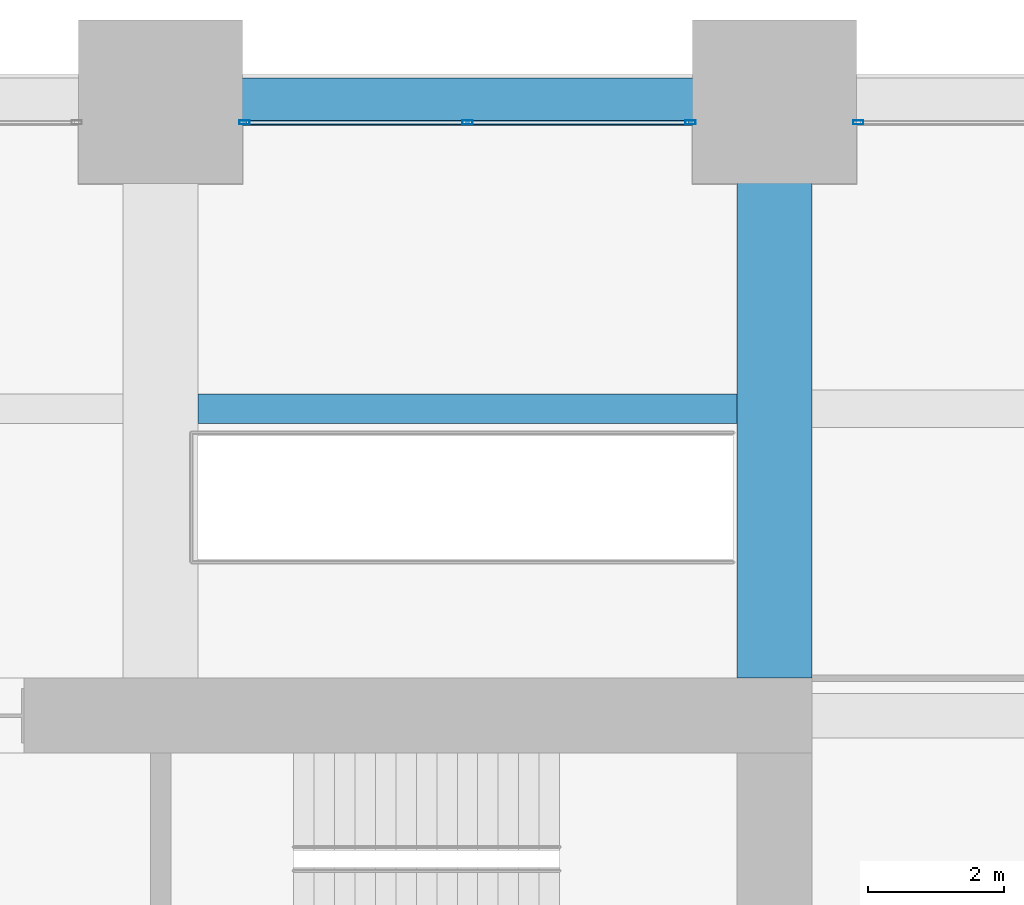
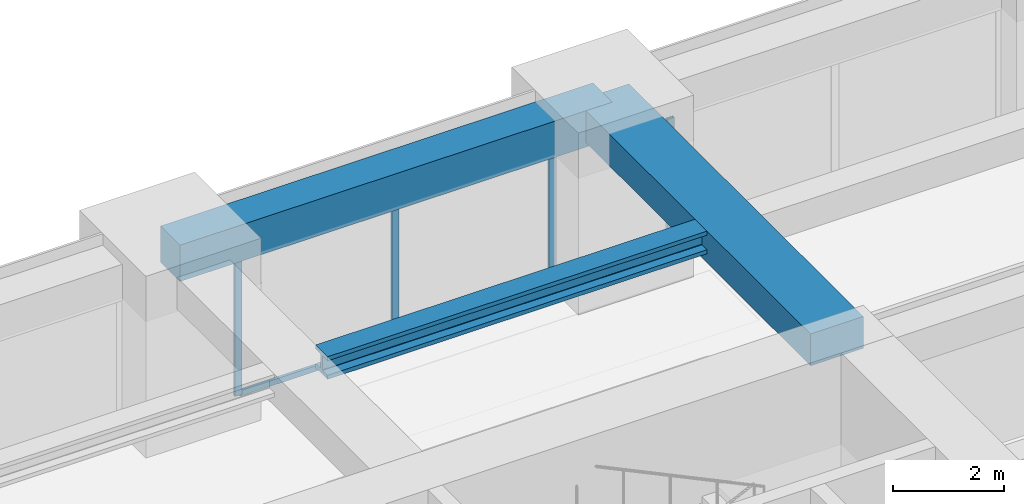
# One storey, part 30 of 41: 5 members, 3 beams, 2 elements without a shape of their own.
"""IFC4 building model written with IfcOpenShell, lengths in metres."""

from ifc_helpers import new_model, si_unit, direction, frame, origin, origin_2d, place, context, subcontext, project, spatial, rectangle, hollow_rectangle, i_section, extrude, material, material_profile, profile_set, type_object, element, aggregate, save


model = new_model("IFC4")

# Units and contexts
model_context = context("Model", 3, precision=1e-05, world=origin(), true_north=direction((0.0, 1.0)))
body_context = subcontext(model_context, "Body", "Model", "MODEL_VIEW")
ifc_project = project(units=[si_unit("LENGTHUNIT", "METRE"), si_unit("AREAUNIT", "SQUARE_METRE"), si_unit("VOLUMEUNIT", "CUBIC_METRE"), si_unit("PLANEANGLEUNIT", "RADIAN"), si_unit("MASSUNIT", "GRAM", prefix="KILO")], contexts=[model_context])

# Site, building, storey
site_placement = place(None, origin())
site = spatial("IfcSite", under=ifc_project, at=site_placement, CompositionType="ELEMENT")
building_placement = place(site_placement, origin())
building = spatial("IfcBuilding", under=site, at=building_placement, Name="Zorevar Civic Tower", CompositionType="ELEMENT")
storey_placement = place(building_placement, frame((0.0, 0.0, 101.0)))
storey = spatial("IfcBuildingStorey", under=building, at=storey_placement, Name="L24", CompositionType="ELEMENT", Elevation=101.0)

# Beam
ifc_material_1 = material(Name="Concrete C50/60", Category="concrete")
ifc_material_profile_1 = material_profile(ifc_material_1, rectangle(XDim=1.10009765625, YDim=0.699951171875, at=origin_2d()), Name="RC 1100x700")
ifc_profile_set_1 = profile_set([ifc_material_profile_1], Name="Concrete C50/60")
beam_type_1 = type_object("IfcBeamType", Name="Beam RC 1100x700", PredefinedType="BEAM", material=ifc_profile_set_1)
beam_1_placement = place(storey_placement, frame((45.0, 36.550048828125, 3.39990234375), z_axis=(0.0, 1.0, 0.0), x_axis=(-1.0, 0.0, 0.0)))
element("IfcBeam", 1, at=beam_1_placement, inside=storey, type_object=beam_type_1, Name="Girder L25", PredefinedType="BEAM", context=body_context, shape_type="SweptSolid", body=[
    extrude(rectangle(XDim=1.10009765625, YDim=0.699951171875, at=origin_2d()), origin(), (0.0, 0.0, 1.0), 8.449951171875),
])

# Curtain wall, members
ifc_material_2 = material(Name="Dark grey solar-control glass in black aluminium frame", Category="aluminium")
curtain_wall_type = type_object("IfcCurtainWallType", Name="Curtain wall CW3 mid zone", PredefinedType="NOTDEFINED", material=ifc_material_2)
curtain_wall_1_placement = place(storey_placement, origin())
curtain_wall_1 = element("IfcCurtainWall", 2, at=curtain_wall_1_placement, inside=storey, type_object=curtain_wall_type, Name="CW3 L24", PredefinedType="NOTDEFINED")
ifc_material_3 = material(Name="Aluminium, black anodised", Category="aluminium")
ifc_material_profile_2 = material_profile(ifc_material_3, hollow_rectangle(XDim=0.06005859375, YDim=0.14990234375, WallThickness=0.00390625, at=origin_2d()), Name="AL 150x60x4")
ifc_profile_set_2 = profile_set([ifc_material_profile_2], Name="Aluminium, black anodised")
member_type_1 = type_object("IfcMemberType", Name="CW3 mullion AL 150x60x4", PredefinedType="MULLION", material=ifc_profile_set_2)
member_1_placement = place(storey_placement, frame((37.22998046875, 44.699951171875, 0.0), z_axis=(0.0, 0.0, 1.0), x_axis=(0.0, 1.0, 0.0)))
member_1 = element("IfcMember", 3, at=member_1_placement, type_object=member_type_1, Name="CW3 mullion 1", PredefinedType="MULLION", context=body_context, shape_type="SweptSolid", body=[
    extrude(hollow_rectangle(XDim=0.06005859375, YDim=0.14990234375, WallThickness=0.00390625, at=origin_2d()), origin(), (0.0, 0.0, 1.0), 2.949951171875),
])
member_2_placement = place(storey_placement, frame((40.5, 44.699951171875, 0.06005859375), z_axis=(0.0, 0.0, 1.0), x_axis=(0.0, 1.0, 0.0)))
member_2 = element("IfcMember", 4, at=member_2_placement, type_object=member_type_1, Name="CW3 mullion 2", PredefinedType="MULLION", context=body_context, shape_type="SweptSolid", body=[
    extrude(hollow_rectangle(XDim=0.06005859375, YDim=0.14990234375, WallThickness=0.00390625, at=origin_2d()), origin(), (0.0, 0.0, 1.0), 2.889892578125),
])
member_3_placement = place(storey_placement, frame((43.77001953125, 44.699951171875, 0.0), z_axis=(0.0, 0.0, 1.0), x_axis=(0.0, 1.0, 0.0)))
member_3 = element("IfcMember", 5, at=member_3_placement, type_object=member_type_1, Name="CW3 mullion 3", PredefinedType="MULLION", context=body_context, shape_type="SweptSolid", body=[
    extrude(hollow_rectangle(XDim=0.06005859375, YDim=0.14990234375, WallThickness=0.00390625, at=origin_2d()), origin(), (0.0, 0.0, 1.0), 2.949951171875),
])

# Curtain wall, member
curtain_wall_2_placement = place(storey_placement, origin())
curtain_wall_2 = element("IfcCurtainWall", 6, at=curtain_wall_2_placement, inside=storey, type_object=curtain_wall_type, Name="CW3 L24", PredefinedType="NOTDEFINED")
member_4_placement = place(storey_placement, frame((46.22998046875, 44.699951171875, 0.0), z_axis=(0.0, 0.0, 1.0), x_axis=(0.0, 1.0, 0.0)))
member_4 = element("IfcMember", 7, at=member_4_placement, type_object=member_type_1, Name="CW3 mullion 1", PredefinedType="MULLION", context=body_context, shape_type="SweptSolid", body=[
    extrude(hollow_rectangle(XDim=0.06005859375, YDim=0.14990234375, WallThickness=0.00390625, at=origin_2d()), origin(), (0.0, 0.0, 1.0), 2.949951171875),
])
aggregate(curtain_wall_2, [member_4])

# Member
ifc_material_4 = material(Name="Aluminium, black anodised", Category="aluminium")
ifc_material_profile_3 = material_profile(ifc_material_4, hollow_rectangle(XDim=0.06005859375, YDim=0.1201171875, WallThickness=0.0029296875, at=origin_2d()), Name="AL 120x60x3")
ifc_profile_set_3 = profile_set([ifc_material_profile_3], Name="Aluminium, black anodised")
member_type_2 = type_object("IfcMemberType", Name="CW3 transom AL 120x60x3", PredefinedType="USERDEFINED", material=ifc_profile_set_3)
member_5_placement = place(storey_placement, frame((37.260009765625, 44.699951171875, 0.030029296875), z_axis=(1.0, 0.0, 0.0), x_axis=(0.0, 1.0, 0.0)))
member_5 = element("IfcMember", 8, at=member_5_placement, type_object=member_type_2, Name="CW3 sill transom", ObjectType="TRANSOM", PredefinedType="USERDEFINED", context=body_context, shape_type="SweptSolid", body=[
    extrude(hollow_rectangle(XDim=0.06005859375, YDim=0.1201171875, WallThickness=0.0029296875, at=origin_2d()), origin(), (0.0, 0.0, 1.0), 6.47998046875),
])

aggregate(curtain_wall_1, [member_1, member_2, member_3, member_5])

# Beams
ifc_material_5 = material(Name="Steel S460M (HISTAR 460)", Category="steel")
ifc_material_profile_4 = material_profile(ifc_material_5, i_section(OverallWidth=0.431884765625, OverallDepth=0.498046875, WebThickness=0.0556640625, FlangeThickness=0.0888671875, FilletRadius=0.014892578125, at=origin_2d()), Name="HD 400x744")
ifc_profile_set_4 = profile_set([ifc_material_profile_4], Name="Steel S460M (HISTAR 460)")
beam_type_2 = type_object("IfcBeamType", Name="Core bay beam HD 400x744", PredefinedType="BEAM", material=ifc_profile_set_4)
beam_2_placement = place(storey_placement, frame((36.550048828125, 40.5, 3.5009765625), z_axis=(1.0, 0.0, 0.0), x_axis=(0.0, 1.0, 0.0)))
element("IfcBeam", 9, at=beam_2_placement, inside=storey, type_object=beam_type_2, Name="Secondary beam L25", PredefinedType="BEAM", context=body_context, shape_type="SweptSolid", body=[
    extrude(i_section(OverallWidth=0.431884765625, OverallDepth=0.498046875, WebThickness=0.0556640625, FlangeThickness=0.0888671875, FilletRadius=0.014892578125, at=origin_2d()), origin(), (0.0, 0.0, 1.0), 7.89990234375),
])
ifc_material_6 = material(Name="Concrete C50/60", Category="concrete")
ifc_material_profile_5 = material_profile(ifc_material_6, rectangle(XDim=0.699951171875, YDim=0.800048828125, at=origin_2d()), Name="RC 700x800")
ifc_profile_set_5 = profile_set([ifc_material_profile_5], Name="Concrete C50/60")
beam_type_3 = type_object("IfcBeamType", Name="Edge beam RC 700x800", PredefinedType="SPANDREL", material=ifc_profile_set_5)
beam_3_placement = place(storey_placement, frame((36.0, 45.0, 3.35009765625), z_axis=(1.0, 0.0, 0.0), x_axis=(0.0, 1.0, 0.0)))
element("IfcBeam", 10, at=beam_3_placement, inside=storey, type_object=beam_type_3, Name="Edge beam L25", PredefinedType="SPANDREL", context=body_context, shape_type="SweptSolid", body=[
    extrude(rectangle(XDim=0.699951171875, YDim=0.800048828125, at=origin_2d()), origin(), (0.0, 0.0, 1.0), 9.0),
])

save(model, "model.ifc")
